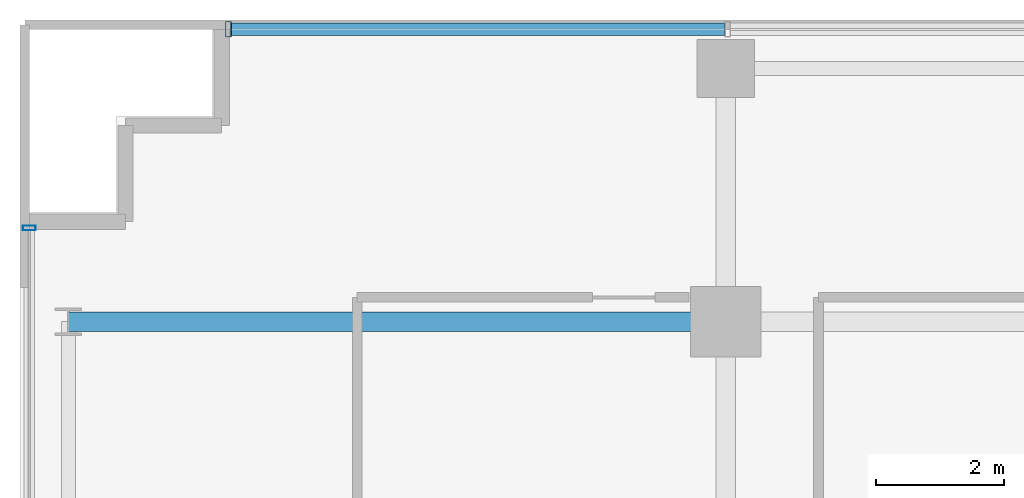
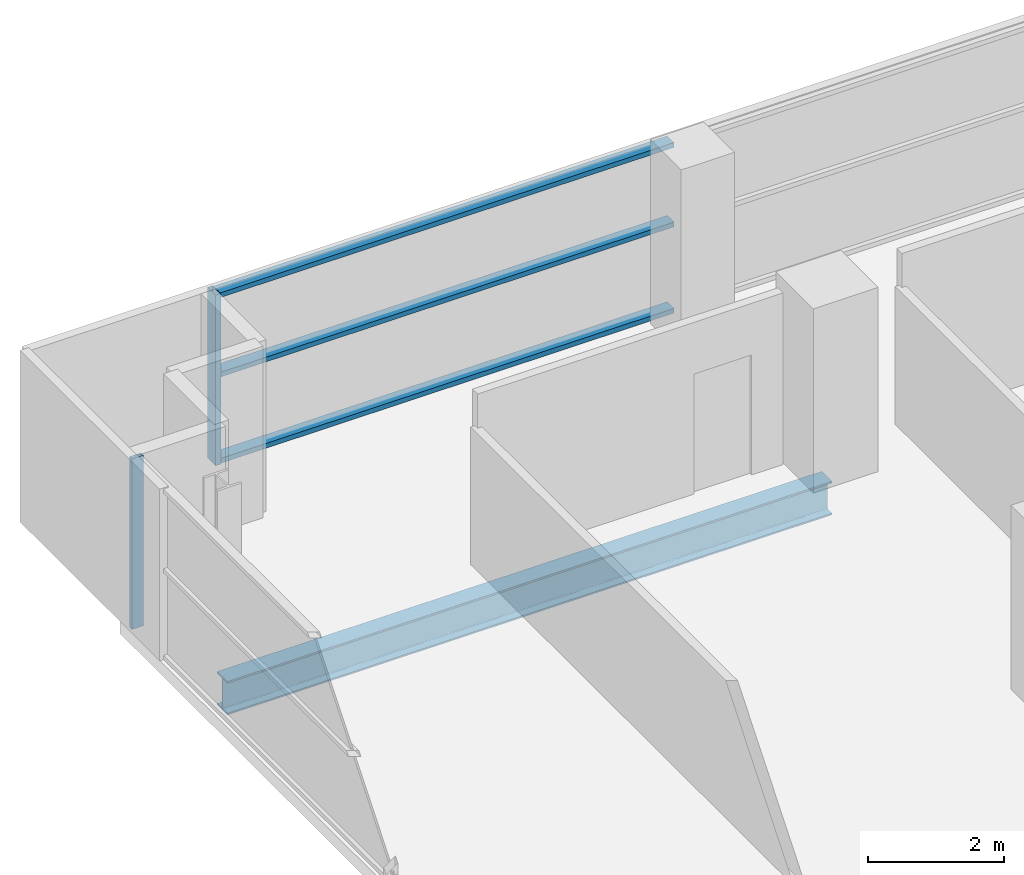
# One storey, part 16 of 29: 5 members, 1 beam, 2 elements without a shape of their own.
"""IFC4 building model written with IfcOpenShell, lengths in metres."""

from ifc_helpers import new_model, si_unit, direction, frame, origin, origin_2d, place, context, subcontext, project, spatial, hollow_rectangle, i_section, extrude, source, transform, mapped, material, layer, layer_set, material_profile, profile_set, type_object, element, aggregate, save


model = new_model("IFC4")

# Units and contexts
model_context = context("Model", 3, precision=1e-05, world=origin(), true_north=direction((0.0, 1.0)))
body_context = subcontext(model_context, "Body", "Model", "MODEL_VIEW")
ifc_project = project(units=[si_unit("LENGTHUNIT", "METRE"), si_unit("AREAUNIT", "SQUARE_METRE"), si_unit("VOLUMEUNIT", "CUBIC_METRE"), si_unit("PLANEANGLEUNIT", "RADIAN"), si_unit("MASSUNIT", "GRAM", prefix="KILO")], contexts=[model_context])

# Site, building, storey
site_placement = place(None, origin())
site = spatial("IfcSite", under=ifc_project, at=site_placement, CompositionType="ELEMENT")
building_placement = place(site_placement, origin())
building = spatial("IfcBuilding", under=site, at=building_placement, Name="Zarnakvel Exchange Tower", CompositionType="ELEMENT")
storey_placement = place(building_placement, frame((0.0, 0.0, 37.300048828125)))
storey = spatial("IfcBuildingStorey", under=building, at=storey_placement, Name="L09", CompositionType="ELEMENT", Elevation=37.300048828125)

# Beam
ifc_material_1 = material(Name="Steel S355", Category="steel")
ifc_material_profile_1 = material_profile(ifc_material_1, i_section(OverallWidth=0.300048828125, OverallDepth=0.60009765625, WebThickness=0.015380859375, FlangeThickness=0.030029296875, FilletRadius=0.027099609375, at=origin_2d()))
ifc_profile_set_1 = profile_set([ifc_material_profile_1], Name="Steel S355")
beam_type = type_object("IfcBeamType", Name="G-04", PredefinedType="BEAM", material=ifc_profile_set_1)
beam_placement = place(storey_placement, frame((-31.85009765625, 13.5, -0.525146484375), z_axis=(1.0, 0.0, 0.0), x_axis=(0.0, 1.0, 0.0)))
element("IfcBeam", 1, at=beam_placement, inside=storey, type_object=beam_type, Name="L09 Tower E-W Frame Beam", PredefinedType="BEAM", context=body_context, shape_type="SweptSolid", body=[
    extrude(i_section(OverallWidth=0.300048828125, OverallDepth=0.60009765625, WebThickness=0.015380859375, FlangeThickness=0.030029296875, FilletRadius=0.027099609375, at=origin_2d()), origin(), (0.0, 0.0, 1.0), 10.25),
])

# Curtain wall, members
ifc_material_2 = material(Name="Architectural Bronze Anodised Aluminium", Category="aluminium")
ifc_layer_1 = layer(ifc_material_2, 0.239990234375)
ifc_layer_set_1 = layer_set([ifc_layer_1], Name="Architectural Bronze Anodised Aluminium")
curtain_wall_type_1 = type_object("IfcCurtainWallType", Name="CW-02", PredefinedType="NOTDEFINED", material=ifc_layer_set_1)
curtain_wall_1_placement = place(storey_placement, origin())
curtain_wall_1 = element("IfcCurtainWall", 2, at=curtain_wall_1_placement, inside=storey, type_object=curtain_wall_type_1, Name="L09 Curtain Wall CW-L09-N1 (CW-02)", PredefinedType="NOTDEFINED")
ifc_material_profile_2 = material_profile(ifc_material_2, hollow_rectangle(XDim=0.199951171875, YDim=0.0849609375, WallThickness=0.0048828125, at=origin_2d()))
ifc_profile_set_2 = profile_set([ifc_material_profile_2], Name="Architectural Bronze Anodised Aluminium")
member_type_1 = type_object("IfcMemberType", Name="CWT-02", PredefinedType="USERDEFINED", material=ifc_profile_set_2)
shared_shape_1 = source(origin(), body_context, "Body", "SweptSolid", [
    extrude(hollow_rectangle(XDim=0.199951171875, YDim=0.0849609375, WallThickness=0.0048828125, at=origin_2d()), origin(), (0.0, 0.0, 1.0), 7.693603515625),
])
member_1_placement = place(storey_placement, frame((-29.31005859375, 18.06005859375, 0.04248046875), z_axis=(1.0, 0.0, 0.0), x_axis=(0.0, 1.0, 0.0)))
member_1 = element("IfcMember", 3, at=member_1_placement, type_object=member_type_1, Name="CW-02 transom 1.1", ObjectType="TRANSOM", PredefinedType="USERDEFINED", context=body_context, shape_type="MappedRepresentation", body=[
    mapped(shared_shape_1, transform((0.0, 0.0, 0.0), x_axis=(1.0, 0.0, 0.0), y_axis=(0.0, 1.0, 0.0), z_axis=(0.0, 0.0, 1.0), scale=1.0)),
])
member_2_placement = place(storey_placement, frame((-29.31005859375, 18.06005859375, 1.588623046875), z_axis=(1.0, 0.0, 0.0), x_axis=(0.0, 1.0, 0.0)))
member_2 = element("IfcMember", 4, at=member_2_placement, type_object=member_type_1, Name="CW-02 transom 1.2", ObjectType="TRANSOM", PredefinedType="USERDEFINED", context=body_context, shape_type="MappedRepresentation", body=[
    mapped(shared_shape_1, transform((0.0, 0.0, 0.0), x_axis=(1.0, 0.0, 0.0), y_axis=(0.0, 1.0, 0.0), z_axis=(0.0, 0.0, 1.0), scale=1.0)),
])
member_3_placement = place(storey_placement, frame((-29.31005859375, 18.06005859375, 3.012451171875), z_axis=(1.0, 0.0, 0.0), x_axis=(0.0, 1.0, 0.0)))
member_3 = element("IfcMember", 5, at=member_3_placement, type_object=member_type_1, Name="CW-02 transom 1.3", ObjectType="TRANSOM", PredefinedType="USERDEFINED", context=body_context, shape_type="MappedRepresentation", body=[
    mapped(shared_shape_1, transform((0.0, 0.0, 0.0), x_axis=(1.0, 0.0, 0.0), y_axis=(0.0, 1.0, 0.0), z_axis=(0.0, 0.0, 1.0), scale=1.0)),
])
ifc_material_profile_3 = material_profile(ifc_material_2, hollow_rectangle(XDim=0.239990234375, YDim=0.090087890625, WallThickness=0.006103515625, at=origin_2d()))
ifc_profile_set_3 = profile_set([ifc_material_profile_3], Name="Architectural Bronze Anodised Aluminium")
member_type_2 = type_object("IfcMemberType", Name="CWM-02", PredefinedType="MULLION", material=ifc_profile_set_3)
shared_shape_2 = source(origin(), body_context, "Body", "SweptSolid", [
    extrude(hollow_rectangle(XDim=0.239990234375, YDim=0.090087890625, WallThickness=0.006103515625, at=origin_2d()), origin(), (0.0, 0.0, 1.0), 3.054931640625),
])
member_4_placement = place(storey_placement, frame((-29.35498046875, 18.06005859375, 0.0), z_axis=(0.0, 0.0, 1.0), x_axis=(0.0, 1.0, 0.0)))
member_4 = element("IfcMember", 6, at=member_4_placement, type_object=member_type_2, Name="CW-02 mullion 1", PredefinedType="MULLION", context=body_context, shape_type="MappedRepresentation", body=[
    mapped(shared_shape_2, transform((0.0, 0.0, 0.0), x_axis=(1.0, 0.0, 0.0), y_axis=(0.0, 1.0, 0.0), z_axis=(0.0, 0.0, 1.0), scale=1.0)),
])
aggregate(curtain_wall_1, [member_4, member_1, member_2, member_3])

# Curtain wall, member
ifc_layer_2 = layer(ifc_material_2, 0.199951171875)
ifc_layer_set_2 = layer_set([ifc_layer_2], Name="Architectural Bronze Anodised Aluminium")
curtain_wall_type_2 = type_object("IfcCurtainWallType", Name="CW-04", PredefinedType="NOTDEFINED", material=ifc_layer_set_2)
curtain_wall_2_placement = place(storey_placement, origin())
curtain_wall_2 = element("IfcCurtainWall", 7, at=curtain_wall_2_placement, inside=storey, type_object=curtain_wall_type_2, Name="L09 Curtain Wall CW-L09-W1 (CW-04)", PredefinedType="NOTDEFINED")
ifc_material_profile_4 = material_profile(ifc_material_2, hollow_rectangle(XDim=0.199951171875, YDim=0.074951171875, WallThickness=0.0048828125, at=origin_2d()))
ifc_profile_set_4 = profile_set([ifc_material_profile_4], Name="Architectural Bronze Anodised Aluminium")
member_type_3 = type_object("IfcMemberType", Name="CWM-04", PredefinedType="MULLION", material=ifc_profile_set_4)
shared_shape_3 = source(origin(), body_context, "Body", "SweptSolid", [
    extrude(hollow_rectangle(XDim=0.199951171875, YDim=0.074951171875, WallThickness=0.0048828125, at=origin_2d()), origin(), (0.0, 0.0, 1.0), 3.054931640625),
])
member_5_placement = place(storey_placement, frame((-32.4599609375, 14.96240234375, 0.0), z_axis=(0.0, 0.0, 1.0), x_axis=(-1.0, 0.0, 0.0)))
member_5 = element("IfcMember", 8, at=member_5_placement, type_object=member_type_3, Name="CW-04 mullion 5", PredefinedType="MULLION", context=body_context, shape_type="MappedRepresentation", body=[
    mapped(shared_shape_3, transform((0.0, 0.0, 0.0), x_axis=(1.0, 0.0, 0.0), y_axis=(0.0, 1.0, 0.0), z_axis=(0.0, 0.0, 1.0), scale=1.0)),
])
aggregate(curtain_wall_2, [member_5])

save(model, "model.ifc")
